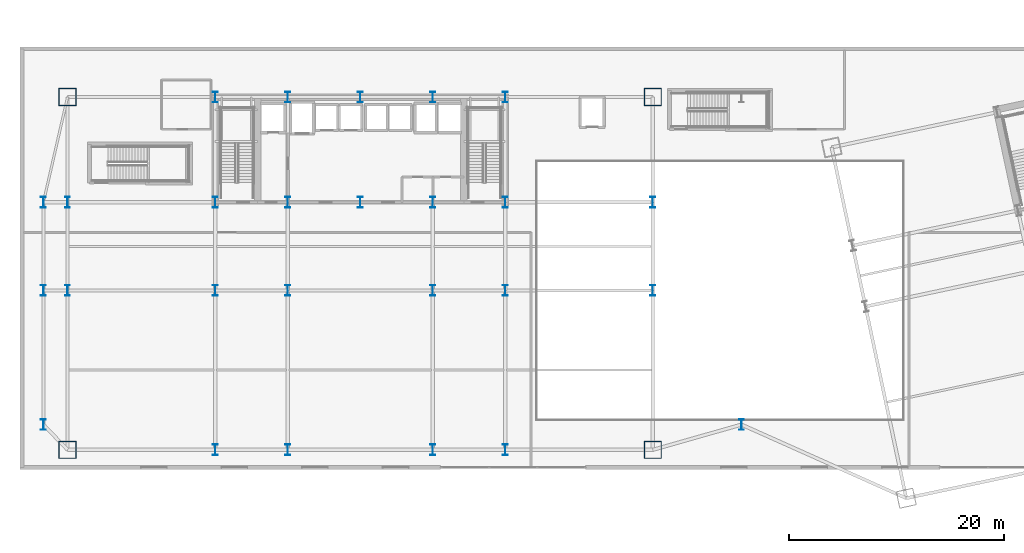
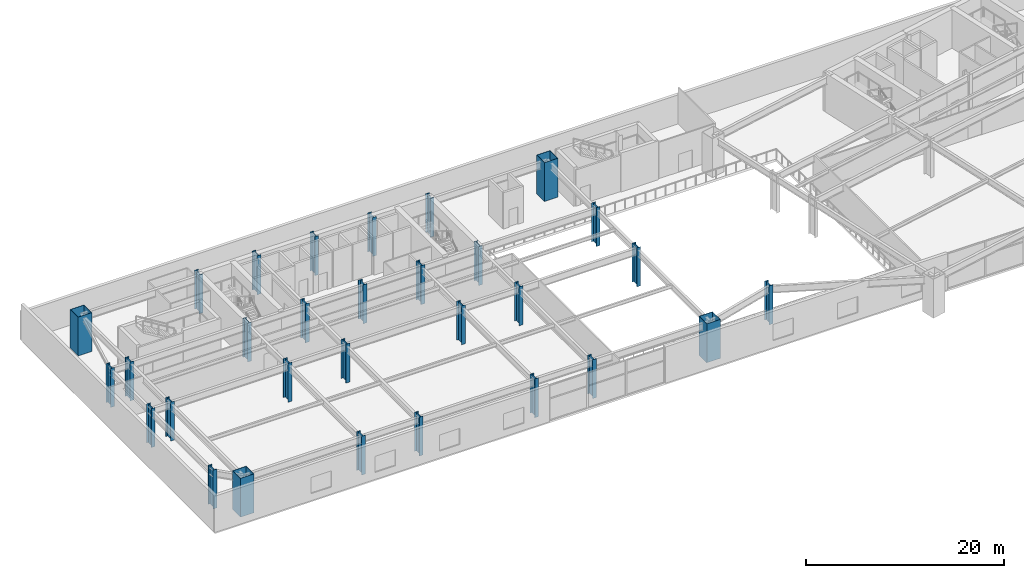
# One storey, part 1 of 25: 30 columns.
"""IFC4 building model written with IfcOpenShell, lengths in metres."""

from ifc_helpers import new_model, si_unit, direction, frame, origin, origin_2d, place, context, subcontext, project, spatial, hollow_rectangle, i_section, extrude, material, material_profile, profile_set, type_object, element, save


model = new_model("IFC4")

# Units and contexts
model_context = context("Model", 3, precision=1e-05, world=origin(), true_north=direction((0.0, 1.0)))
body_context = subcontext(model_context, "Body", "Model", "MODEL_VIEW")
ifc_project = project(units=[si_unit("LENGTHUNIT", "METRE"), si_unit("AREAUNIT", "SQUARE_METRE"), si_unit("VOLUMEUNIT", "CUBIC_METRE"), si_unit("PLANEANGLEUNIT", "RADIAN"), si_unit("MASSUNIT", "GRAM", prefix="KILO")], contexts=[model_context])

# Site, building, storey
site_placement = place(None, origin())
site = spatial("IfcSite", under=ifc_project, at=site_placement, CompositionType="ELEMENT")
building_placement = place(site_placement, origin())
building = spatial("IfcBuilding", under=site, at=building_placement, Name="Haevon Station Towers", CompositionType="ELEMENT")
storey_placement = place(building_placement, frame((0.0, 0.0, 6.0)))
storey = spatial("IfcBuildingStorey", under=building, at=storey_placement, Name="L01", CompositionType="ELEMENT", Elevation=6.0)

# Columns
ifc_material = material(Name="Steel S460", Category="steel")
ifc_material_profile_1 = material_profile(ifc_material, hollow_rectangle(XDim=1.60009765625, YDim=1.60009765625, WallThickness=0.0400390625, at=origin_2d()), Name="BOX-1600x1600x40")
ifc_profile_set_1 = profile_set([ifc_material_profile_1], Name="Steel S460")
column_type_1 = type_object("IfcColumnType", Name="COL-MC1", PredefinedType="COLUMN", material=ifc_profile_set_1)
for number, where, z_axis, x_axis, name in (
    (1, (10.25, 15.14990234375, 0.0), (0.0, 0.0, 1.0), (1.0, 0.0, 0.0), "COL-T1-L01-01-01"),
    (2, (10.25, 48.0, 0.0), (0.0, 0.0, 1.0), (1.0, 0.0, 0.0), "COL-T1-L01-01-04"),
    (3, (64.75, 15.14990234375, 0.0), (0.0, 0.0, 1.0), (1.0, 0.0, 0.0), "COL-T1-L01-07-01"),
    (4, (64.75, 48.0, 0.0), (0.0, 0.0, 1.0), (1.0, 0.0, 0.0), "COL-T1-L01-07-04"),
):
    element("IfcColumn", number, at=place(storey_placement, frame(where, z_axis=z_axis, x_axis=x_axis)), inside=storey, type_object=column_type_1, Name=name, PredefinedType="COLUMN", context=body_context, shape_type="SweptSolid", body=[
        extrude(hollow_rectangle(XDim=1.60009765625, YDim=1.60009765625, WallThickness=0.0400390625, at=origin_2d()), origin(), (0.0, 0.0, 1.0), 4.800048828125),
    ])
ifc_material_profile_2 = material_profile(ifc_material, i_section(OverallWidth=0.449951171875, OverallDepth=1.0, WebThickness=0.02197265625, FlangeThickness=0.0400390625, at=origin_2d()), Name="H-1000x450x22x40")
ifc_profile_set_2 = profile_set([ifc_material_profile_2], Name="Steel S460")
column_type_2 = type_object("IfcColumnType", Name="COL-POD1", PredefinedType="COLUMN", material=ifc_profile_set_2)
for number, where, z_axis, x_axis, name in (
    (5, (10.25, 30.0, 0.0), (0.0, 0.0, 1.0), (1.0, 0.0, 0.0), "COL-T1-L01-01-02"),
    (6, (10.25, 38.199951171875, 0.0), (0.0, 0.0, 1.0), (1.0, 0.0, 0.0), "COL-T1-L01-01-03"),
    (7, (24.0, 15.14990234375, 0.0), (0.0, 0.0, 1.0), (1.0, 0.0, 0.0), "COL-T1-L01-02-01"),
    (8, (24.0, 30.0, 0.0), (0.0, 0.0, 1.0), (1.0, 0.0, 0.0), "COL-T1-L01-02-02"),
    (9, (24.0, 38.199951171875, 0.0), (0.0, 0.0, 1.0), (1.0, 0.0, 0.0), "COL-T1-L01-02-03"),
    (10, (24.0, 48.0, 0.0), (0.0, 0.0, 1.0), (1.0, 0.0, 0.0), "COL-T1-L01-02-04"),
    (11, (30.75, 15.14990234375, 0.0), (0.0, 0.0, 1.0), (1.0, 0.0, 0.0), "COL-T1-L01-03-01"),
    (12, (30.75, 30.0, 0.0), (0.0, 0.0, 1.0), (1.0, 0.0, 0.0), "COL-T1-L01-03-02"),
    (13, (30.75, 38.199951171875, 0.0), (0.0, 0.0, 1.0), (1.0, 0.0, 0.0), "COL-T1-L01-03-03"),
    (14, (30.75, 48.0, 0.0), (0.0, 0.0, 1.0), (1.0, 0.0, 0.0), "COL-T1-L01-03-04"),
    (15, (37.5, 38.199951171875, 0.0), (0.0, 0.0, 1.0), (1.0, 0.0, 0.0), "COL-T1-L01-04-03"),
    (16, (37.5, 48.0, 0.0), (0.0, 0.0, 1.0), (1.0, 0.0, 0.0), "COL-T1-L01-04-04"),
    (17, (44.25, 15.14990234375, 0.0), (0.0, 0.0, 1.0), (1.0, 0.0, 0.0), "COL-T1-L01-05-01"),
    (18, (44.25, 30.0, 0.0), (0.0, 0.0, 1.0), (1.0, 0.0, 0.0), "COL-T1-L01-05-02"),
    (19, (44.25, 38.199951171875, 0.0), (0.0, 0.0, 1.0), (1.0, 0.0, 0.0), "COL-T1-L01-05-03"),
    (20, (44.25, 48.0, 0.0), (0.0, 0.0, 1.0), (1.0, 0.0, 0.0), "COL-T1-L01-05-04"),
    (21, (51.0, 15.14990234375, 0.0), (0.0, 0.0, 1.0), (1.0, 0.0, 0.0), "COL-T1-L01-06-01"),
    (22, (51.0, 30.0, 0.0), (0.0, 0.0, 1.0), (1.0, 0.0, 0.0), "COL-T1-L01-06-02"),
    (23, (51.0, 38.199951171875, 0.0), (0.0, 0.0, 1.0), (1.0, 0.0, 0.0), "COL-T1-L01-06-03"),
    (24, (51.0, 48.0, 0.0), (0.0, 0.0, 1.0), (1.0, 0.0, 0.0), "COL-T1-L01-06-04"),
    (25, (64.75, 30.0, 0.0), (0.0, 0.0, 1.0), (1.0, 0.0, 0.0), "COL-T1-L01-07-02"),
    (26, (64.75, 38.199951171875, 0.0), (0.0, 0.0, 1.0), (1.0, 0.0, 0.0), "COL-T1-L01-07-03"),
    (27, (8.0, 17.5, 0.0), (0.0, 0.0, 1.0), (1.0, 0.0, 0.0), "COL-POD-L01-W1"),
    (28, (8.0, 30.0, 0.0), (0.0, 0.0, 1.0), (1.0, 0.0, 0.0), "COL-POD-L01-W2"),
    (29, (8.0, 38.199951171875, 0.0), (0.0, 0.0, 1.0), (1.0, 0.0, 0.0), "COL-POD-L01-W3"),
    (30, (73.0, 17.5, 0.0), (0.0, 0.0, 1.0), (1.0, 0.0, 0.0), "COL-POD-L01-M1"),
):
    element("IfcColumn", number, at=place(storey_placement, frame(where, z_axis=z_axis, x_axis=x_axis)), inside=storey, type_object=column_type_2, Name=name, PredefinedType="COLUMN", context=body_context, shape_type="SweptSolid", body=[
        extrude(i_section(OverallWidth=0.449951171875, OverallDepth=1.0, WebThickness=0.02197265625, FlangeThickness=0.0400390625, at=origin_2d()), origin(), (0.0, 0.0, 1.0), 4.800048828125),
    ])

save(model, "model.ifc")
